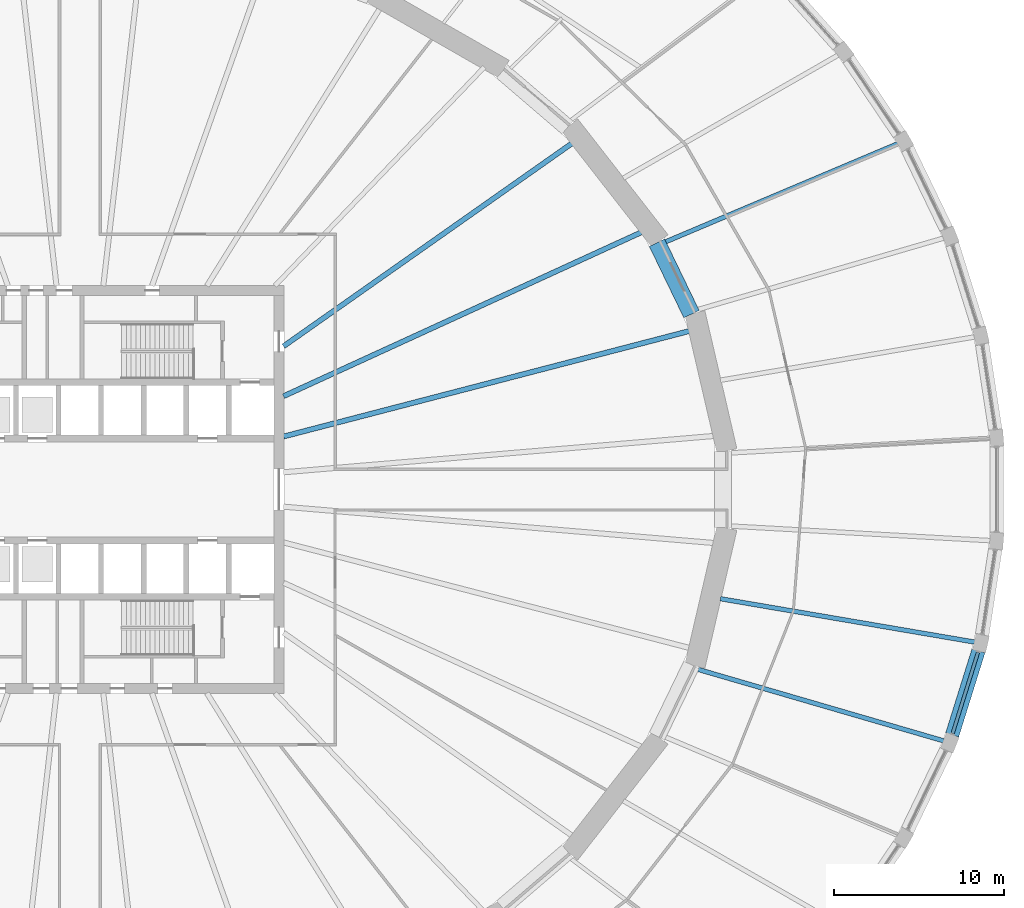
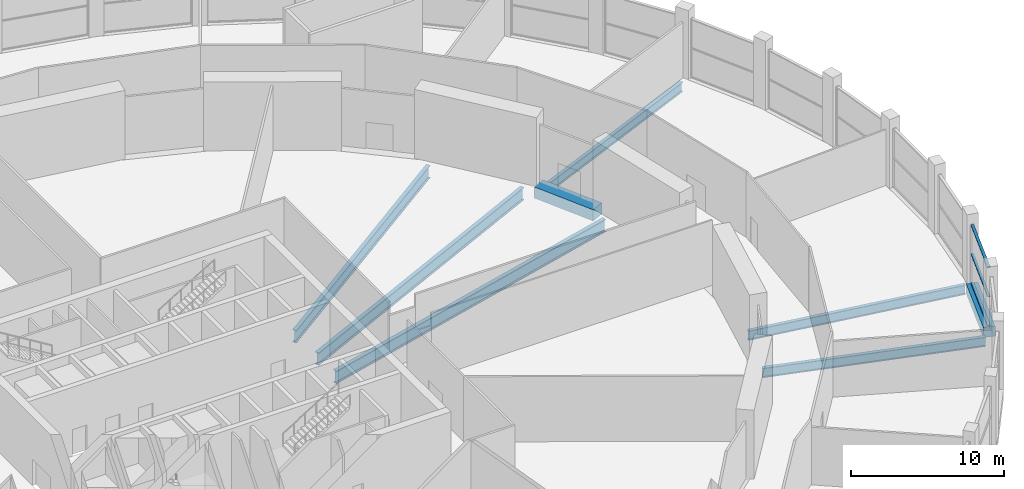
# One storey, part 10 of 26: 8 beams, 3 members, 1 element without a shape of its own.
"""IFC4 building model written with IfcOpenShell, lengths in metres."""

import ifcopenshell
import ifcopenshell.guid

model = None  # the IFC model being written
_history = None  # IfcOwnerHistory: only IFC2X3 demands one
_inside = {}  # id of a spatial element -> (the spatial element, [elements in it])
_under = {}  # id of a project, library or spatial element -> (it, [spatial elements below it])
_declared = {}  # id of a project -> (the project, [libraries it declares])
_typed = {}  # id of a type object -> (the type object, [elements of that type])
_made_of = {}  # id of a material, layer set ... -> (it, [elements and type objects made of it])


def new_model(schema):
    """Start an empty IFC model of exactly this schema.

    Asked for "IFC4X3", IfcOpenShell would pick the latest addendum, in which some entities
    have other attributes; the version numbers below select the first issue.
    IFC2X3 requires an IfcOwnerHistory on every rooted entity: one is made here for all.
    """
    global model, _history
    if schema == "IFC4X3":
        model = ifcopenshell.file(schema_version=(4, 3, 0, 0))
    else:
        model = ifcopenshell.file(schema=schema)
    _inside.clear()
    _under.clear()
    _declared.clear()
    _typed.clear()
    _made_of.clear()
    _history = None
    if model.schema == "IFC2X3":
        org = make("IfcOrganization", Name="unknown")
        user = make(
            "IfcPersonAndOrganization",
            ThePerson=make("IfcPerson", FamilyName="unknown"),
            TheOrganization=org,
        )
        app = make(
            "IfcApplication",
            ApplicationDeveloper=org,
            Version="unknown",
            ApplicationFullName="unknown",
            ApplicationIdentifier="unknown",
        )
        _history = make(
            "IfcOwnerHistory",
            OwningUser=user,
            OwningApplication=app,
            ChangeAction="ADDED",
            CreationDate=0,
        )
    return model


def make(cls, **values):
    """One entity of the class cls with the attributes given. An attribute that is None is left unset."""
    return model.create_entity(
        cls, **{name: value for name, value in values.items() if value is not None}
    )


def rooted(cls, **values):
    """An entity with a GlobalId (a new one), such as an element, a storey or a relation."""
    return make(cls, GlobalId=ifcopenshell.guid.new(), OwnerHistory=_history, **values)


def si_unit(unit_type, name, prefix=None):
    """IfcSIUnit, for example si_unit("LENGTHUNIT", "METRE", prefix="MILLI")."""
    return make("IfcSIUnit", UnitType=unit_type, Prefix=prefix, Name=name)


def assignment(units):
    """IfcUnitAssignment: the units of a project."""
    return None if units is None else make("IfcUnitAssignment", Units=units)


def point(xyz):
    """IfcCartesianPoint."""
    return None if xyz is None else make("IfcCartesianPoint", Coordinates=xyz)


def direction(xyz):
    """IfcDirection."""
    return None if xyz is None else make("IfcDirection", DirectionRatios=xyz)


def frame(location, z_axis=None, x_axis=None):
    """IfcAxis2Placement3D, a coordinate frame: its origin and axes. An axis left out is left unset."""
    return make(
        "IfcAxis2Placement3D",
        Location=point(location),
        Axis=direction(z_axis),
        RefDirection=direction(x_axis),
    )


def frame_2d(location, x_axis=None):
    """IfcAxis2Placement2D, a coordinate frame in the plane: its origin and x axis."""
    return make(
        "IfcAxis2Placement2D", Location=point(location), RefDirection=direction(x_axis)
    )


def origin():
    """The frame at (0, 0, 0) with its axes left unset."""
    return frame((0.0, 0.0, 0.0))


def origin_2d():
    """The frame at (0, 0) in the plane with its x axis left unset."""
    return frame_2d((0.0, 0.0))


def place(relative_to, where):
    """IfcLocalPlacement: puts the frame where relative to a parent placement (None: the world)."""
    return make(
        "IfcLocalPlacement", PlacementRelTo=relative_to, RelativePlacement=where
    )


def context(
    kind, dimensions, precision=None, world=None, true_north=None, identifier=None
):
    """IfcGeometricRepresentationContext, for example the 3D "Model" context."""
    return make(
        "IfcGeometricRepresentationContext",
        ContextIdentifier=identifier,
        ContextType=kind,
        CoordinateSpaceDimension=dimensions,
        Precision=precision,
        WorldCoordinateSystem=world,
        TrueNorth=true_north,
    )


def subcontext(parent, identifier, kind, view, scale=None):
    """IfcGeometricRepresentationSubContext, for example "Body" below "Model"."""
    return make(
        "IfcGeometricRepresentationSubContext",
        ContextIdentifier=identifier,
        ContextType=kind,
        ParentContext=parent,
        TargetScale=scale,
        TargetView=view,
    )


def project(units=None, contexts=None):
    """IfcProject with its units and contexts."""
    return rooted(
        "IfcProject",
        Name="project",
        RepresentationContexts=contexts,
        UnitsInContext=assignment(units),
    )


def spatial(cls, under=None, at=None, **own):
    """A site, building, storey or space (cls), placed at a placement, below another one or the project."""
    s = rooted(cls, ObjectPlacement=at, **own)
    if under is not None:
        _under.setdefault(under.id(), (under, []))[1].append(s)
    return s


def profile(cls, at=None, kind="AREA", **sizes):
    """A parametric profile (cls). Its sizes go by their IFC names, for example OverallWidth=200.0."""
    return make(cls, ProfileType=kind, Position=at, **sizes)


def rectangle(**sizes):
    """IfcRectangleProfileDef."""
    return profile("IfcRectangleProfileDef", **sizes)


def i_section(**sizes):
    """IfcIShapeProfileDef."""
    return profile("IfcIShapeProfileDef", **sizes)


def extrude(swept, where, along, depth):
    """IfcExtrudedAreaSolid: the profile swept, set in the frame where, extruded along a direction by depth."""
    return make(
        "IfcExtrudedAreaSolid",
        SweptArea=swept,
        Position=where,
        ExtrudedDirection=direction(along),
        Depth=depth,
    )


def shape(context_of_items, identifier, shape_type, items):
    """IfcShapeRepresentation: the items that make up one representation, for example the "Body"."""
    return make(
        "IfcShapeRepresentation",
        ContextOfItems=context_of_items,
        RepresentationIdentifier=identifier,
        RepresentationType=shape_type,
        Items=items,
    )


def material(Name=None, Category=None):
    """IfcMaterial."""
    return make("IfcMaterial", Name=Name, Category=Category)


def material_profile(
    of_material, cross_section, Name=None, Category=None, Priority=None
):
    """IfcMaterialProfile: a cross section and its material."""
    return make(
        "IfcMaterialProfile",
        Name=Name,
        Material=of_material,
        Profile=cross_section,
        Priority=Priority,
        Category=Category,
    )


def profile_set(profiles, Name=None, composite=None):
    """IfcMaterialProfileSet."""
    return make(
        "IfcMaterialProfileSet",
        Name=Name,
        MaterialProfiles=profiles,
        CompositeProfile=composite,
    )


def made_of(thing, what):
    """Note that an element or type object is made of a material, layer set ...; save() writes the relation."""
    if what is not None:
        _made_of.setdefault(what.id(), (what, []))[1].append(thing)
    return thing


def type_object(cls, material=None, **own):
    """A type object (cls), such as IfcWallType, which elements share."""
    return made_of(rooted(cls, **own), material)


def element(
    cls,
    number,
    at=None,
    inside=None,
    cuts=None,
    type_object=None,
    material=None,
    context=None,
    identifier="Body",
    shape_type=None,
    held_by="IfcProductDefinitionShape",
    body=None,
    shapes=None,
    **own,
):
    """One element of the class cls, such as IfcWall. Its Tag is "e" and its number.

    at: its placement. inside: the storey or other place that contains it. cuts: it is an
    opening in that element (IfcRelVoidsElement). A single representation is given by context,
    identifier, shape_type and body (its items); several are given by shapes. held_by: the class
    of the entity that holds the representations. save() writes the other relations.
    """
    e = rooted(cls, Tag="e%d" % number, ObjectPlacement=at, **own)
    if body is not None:
        shapes = [shape(context, identifier, shape_type, body)]
    if shapes is not None:
        e.Representation = make(held_by, Representations=shapes)
    if inside is not None:
        _inside.setdefault(inside.id(), (inside, []))[1].append(e)
    if cuts is not None:
        rooted(
            "IfcRelVoidsElement", RelatingBuildingElement=cuts, RelatedOpeningElement=e
        )
    if type_object is not None:
        _typed.setdefault(type_object.id(), (type_object, []))[1].append(e)
    return made_of(e, material)


def aggregate(whole, parts):
    """IfcRelAggregates: a whole, such as a stair, and the parts it consists of."""
    return rooted("IfcRelAggregates", RelatingObject=whole, RelatedObjects=parts)


def save(model, path):
    """Write the relations noted so far, then the file.

    IfcRelAggregates (storeys below a building ...), IfcRelContainedInSpatialStructure (elements
    in a storey), IfcRelDefinesByType, IfcRelAssociatesMaterial and IfcRelDeclares: one each for
    every whole, place, type object, material and project.
    """
    for whole, parts in _under.values():
        aggregate(whole, parts)
    for where, things in _inside.values():
        rooted(
            "IfcRelContainedInSpatialStructure",
            RelatedElements=things,
            RelatingStructure=where,
        )
    for kind, things in _typed.values():
        rooted("IfcRelDefinesByType", RelatedObjects=things, RelatingType=kind)
    for what, things in _made_of.values():
        rooted("IfcRelAssociatesMaterial", RelatedObjects=things, RelatingMaterial=what)
    for by, libraries in _declared.values():
        rooted("IfcRelDeclares", RelatingContext=by, RelatedDefinitions=libraries)
    model.write(path)


model = new_model("IFC4")

# Units and contexts
model_context = context("Model", 3, precision=1e-05, world=origin(), true_north=direction((0.0, 1.0)))
body_context = subcontext(model_context, "Body", "Model", "MODEL_VIEW")
ifc_project = project(units=[si_unit("LENGTHUNIT", "METRE"), si_unit("AREAUNIT", "SQUARE_METRE"), si_unit("VOLUMEUNIT", "CUBIC_METRE"), si_unit("PLANEANGLEUNIT", "RADIAN"), si_unit("MASSUNIT", "GRAM", prefix="KILO")], contexts=[model_context])

# Site, building, storey
site_placement = place(None, origin())
site = spatial("IfcSite", under=ifc_project, at=site_placement, CompositionType="ELEMENT")
building_placement = place(site_placement, origin())
building = spatial("IfcBuilding", under=site, at=building_placement, Name="Halqa Exchange Tower", CompositionType="ELEMENT")
storey_placement = place(building_placement, frame((0.0, 0.0, 18.0)))
storey = spatial("IfcBuildingStorey", under=building, at=storey_placement, Name="L03", CompositionType="ELEMENT", Elevation=18.0)

# Curtain wall, members
ifc_material_1 = material(Name="Anodised aluminium and clear glass", Category="aluminium")
curtain_wall_type = type_object("IfcCurtainWallType", Name="Exchange hall glazing", PredefinedType="NOTDEFINED", material=ifc_material_1)
curtain_wall_placement = place(storey_placement, origin())
curtain_wall = element("IfcCurtainWall", 1, at=curtain_wall_placement, inside=storey, type_object=curtain_wall_type, Name="Exchange hall glazing run P46", PredefinedType="NOTDEFINED")
ifc_material_2 = material(Name="Anodised aluminium", Category="aluminium")
ifc_material_profile_1 = material_profile(ifc_material_2, rectangle(XDim=0.199951171875, YDim=0.070068359375, at=origin_2d()), Name="AL 70x200")
ifc_profile_set_1 = profile_set([ifc_material_profile_1], Name="Anodised aluminium")
member_type = type_object("IfcMemberType", Name="Exchange hall glazing transom 70 x 200", PredefinedType="USERDEFINED", material=ifc_profile_set_1)
member_1_placement = place(storey_placement, frame((51.30419921875, -14.338623046875, 0.034912109375), z_axis=(0.298305642444, 0.954470399586, 0.0), x_axis=(-0.954470399586, 0.298305642444, 0.0)))
member_1 = element("IfcMember", 2, at=member_1_placement, type_object=member_type, Name="P46 transom 1.1", ObjectType="TRANSOM", PredefinedType="USERDEFINED", context=body_context, shape_type="SweptSolid", body=[
    extrude(rectangle(XDim=0.199951171875, YDim=0.070068359375, at=origin_2d()), origin(), (0.0, 0.0, 1.0), 4.989013671875),
])
member_2_placement = place(storey_placement, frame((51.30419921875, -14.338623046875, 2.35009765625), z_axis=(0.298305642444, 0.954470399586, 0.0), x_axis=(-0.954470399586, 0.298305642444, 0.0)))
member_2 = element("IfcMember", 3, at=member_2_placement, type_object=member_type, Name="P46 transom 1.2", ObjectType="TRANSOM", PredefinedType="USERDEFINED", context=body_context, shape_type="SweptSolid", body=[
    extrude(rectangle(XDim=0.199951171875, YDim=0.070068359375, at=origin_2d()), origin(), (0.0, 0.0, 1.0), 4.989013671875),
])
member_3_placement = place(storey_placement, frame((51.30419921875, -14.338623046875, 4.6650390625), z_axis=(0.298305642444, 0.954470399586, 0.0), x_axis=(-0.954470399586, 0.298305642444, 0.0)))
member_3 = element("IfcMember", 4, at=member_3_placement, type_object=member_type, Name="P46 transom 1.3", ObjectType="TRANSOM", PredefinedType="USERDEFINED", context=body_context, shape_type="SweptSolid", body=[
    extrude(rectangle(XDim=0.199951171875, YDim=0.070068359375, at=origin_2d()), origin(), (0.0, 0.0, 1.0), 4.989013671875),
])
aggregate(curtain_wall, [member_1, member_2, member_3])

# Beams
ifc_material_3 = material(Name="Steel S355", Category="steel")
ifc_material_profile_2 = material_profile(ifc_material_3, i_section(OverallWidth=0.300048828125, OverallDepth=1.0, WebThickness=0.01904296875, FlangeThickness=0.035888671875, FilletRadius=0.030029296875, at=origin_2d()), Name="HEB 1000")
ifc_profile_set_2 = profile_set([ifc_material_profile_2], Name="Steel S355")
beam_type_1 = type_object("IfcBeamType", Name="Floor beam HEB 1000", PredefinedType="BEAM", material=ifc_profile_set_2)
beam_1_placement = place(storey_placement, frame((11.972412109375, 5.485107421875, -0.85009765625), z_axis=(0.909128229117, 0.416516341843, 0.0), x_axis=(-0.416516341843, 0.909128229117, 0.0)))
element("IfcBeam", 5, at=beam_1_placement, inside=storey, type_object=beam_type_1, Name="Radial beam 3", PredefinedType="BEAM", context=body_context, shape_type="SweptSolid", body=[
    extrude(i_section(OverallWidth=0.300048828125, OverallDepth=1.0, WebThickness=0.01904296875, FlangeThickness=0.035888671875, FilletRadius=0.030029296875, at=origin_2d()), origin(), (0.0, 0.0, 1.0), 23.209228515625),
])
beam_2_placement = place(storey_placement, frame((11.972412109375, 8.421875, -0.85009765625), z_axis=(0.817909911418, 0.575346310325, 0.0), x_axis=(-0.575346310325, 0.817909911418, 0.0)))
element("IfcBeam", 6, at=beam_2_placement, inside=storey, type_object=beam_type_1, Name="Radial beam 4", PredefinedType="BEAM", context=body_context, shape_type="SweptSolid", body=[
    extrude(i_section(OverallWidth=0.300048828125, OverallDepth=1.0, WebThickness=0.01904296875, FlangeThickness=0.035888671875, FilletRadius=0.030029296875, at=origin_2d()), origin(), (0.0, 0.0, 1.0), 20.804443359375),
])
ifc_material_profile_3 = material_profile(ifc_material_3, i_section(OverallWidth=0.302001953125, OverallDepth=1.008056640625, WebThickness=0.02099609375, FlangeThickness=0.0400390625, FilletRadius=0.030029296875, at=origin_2d()), Name="HEM 1000")
ifc_profile_set_3 = profile_set([ifc_material_profile_3], Name="Steel S355")
beam_type_2 = type_object("IfcBeamType", Name="Floor beam HEM 1000", PredefinedType="BEAM", material=ifc_profile_set_3)
beam_3_placement = place(storey_placement, frame((11.971435546875, 3.11279296875, -0.85400390625), z_axis=(0.967821064299, 0.251639399735, 0.0), x_axis=(-0.251639399735, 0.967821064299, 0.0)))
element("IfcBeam", 7, at=beam_3_placement, inside=storey, type_object=beam_type_2, Name="Radial beam 2", PredefinedType="BEAM", context=body_context, shape_type="SweptSolid", body=[
    extrude(i_section(OverallWidth=0.302001953125, OverallDepth=1.008056640625, WebThickness=0.02099609375, FlangeThickness=0.0400390625, FilletRadius=0.030029296875, at=origin_2d()), origin(), (0.0, 0.0, 1.0), 24.7314453125),
])
ifc_material_profile_4 = material_profile(ifc_material_3, i_section(OverallWidth=0.264892578125, OverallDepth=0.7529296875, WebThickness=0.01318359375, FlangeThickness=0.01708984375, FilletRadius=0.01708984375, at=origin_2d()), Name="IPE 750x147")
ifc_profile_set_4 = profile_set([ifc_material_profile_4], Name="Steel S355")
beam_type_3 = type_object("IfcBeamType", Name="Floor beam IPE 750x147", PredefinedType="BEAM", material=ifc_profile_set_4)
beam_4_placement = place(storey_placement, frame((34.423583984375, 14.555419921875, -0.7265625), z_axis=(0.921054684963, 0.389433264254, 0.0), x_axis=(-0.389433264254, 0.921054684963, 0.0)))
element("IfcBeam", 8, at=beam_4_placement, inside=storey, type_object=beam_type_3, Name="Radial beam 4", PredefinedType="BEAM", context=body_context, shape_type="SweptSolid", body=[
    extrude(i_section(OverallWidth=0.264892578125, OverallDepth=0.7529296875, WebThickness=0.01318359375, FlangeThickness=0.01708984375, FilletRadius=0.01708984375, at=origin_2d()), origin(), (0.0, 0.0, 1.0), 14.83349609375),
])
beam_5_placement = place(storey_placement, frame((36.34521484375, -10.578369140625, -0.7265625), z_axis=(0.960162493503, -0.279442276812, 0.0), x_axis=(0.279442276812, 0.960162493503, 0.0)))
element("IfcBeam", 9, at=beam_5_placement, inside=storey, type_object=beam_type_3, Name="Radial beam 46", PredefinedType="BEAM", context=body_context, shape_type="SweptSolid", body=[
    extrude(i_section(OverallWidth=0.264892578125, OverallDepth=0.7529296875, WebThickness=0.01318359375, FlangeThickness=0.01708984375, FilletRadius=0.01708984375, at=origin_2d()), origin(), (0.0, 0.0, 1.0), 15.02880859375),
])
beam_6_placement = place(storey_placement, frame((37.654296875, -6.421875, -0.7265625), z_axis=(0.985764762639, -0.168130403968, 0.0), x_axis=(0.168130403968, 0.985764762639, 0.0)))
element("IfcBeam", 10, at=beam_6_placement, inside=storey, type_object=beam_type_3, Name="Radial beam 47", PredefinedType="BEAM", context=body_context, shape_type="SweptSolid", body=[
    extrude(i_section(OverallWidth=0.264892578125, OverallDepth=0.7529296875, WebThickness=0.01318359375, FlangeThickness=0.01708984375, FilletRadius=0.01708984375, at=origin_2d()), origin(), (0.0, 0.0, 1.0), 15.156982421875),
])
ifc_material_4 = material(Name="Concrete C60/75", Category="concrete")
ifc_material_profile_5 = material_profile(ifc_material_4, rectangle(XDim=0.800048828125, YDim=0.800048828125, at=origin_2d()), Name="800 x 800")
ifc_profile_set_5 = profile_set([ifc_material_profile_5], Name="Concrete C60/75")
beam_type_4 = type_object("IfcBeamType", Name="RC podium edge beam 800 x 800 C60/75", PredefinedType="SPANDREL", material=ifc_profile_set_5)
beam_7_placement = place(storey_placement, frame((51.275390625, -14.430419921875, -0.39990234375), z_axis=(0.298331338153, 0.954462368392, 0.0), x_axis=(-0.954462368392, 0.298331338153, 0.0)))
element("IfcBeam", 11, at=beam_7_placement, inside=storey, type_object=beam_type_4, Name="Podium edge beam 46", PredefinedType="SPANDREL", context=body_context, shape_type="SweptSolid", body=[
    extrude(rectangle(XDim=0.800048828125, YDim=0.800048828125, at=origin_2d()), origin(), (0.0, 0.0, 1.0), 5.180908203125),
])
ifc_material_profile_6 = material_profile(ifc_material_4, rectangle(XDim=1.0, YDim=0.89990234375, at=origin_2d()), Name="1000 x 900")
ifc_profile_set_6 = profile_set([ifc_material_profile_6], Name="Concrete C60/75")
beam_type_5 = type_object("IfcBeamType", Name="RC spandrel beam 1000 x 900 C60/75", PredefinedType="SPANDREL", material=ifc_profile_set_6)
beam_8_placement = place(storey_placement, frame((35.951904296875, 10.306884765625, -0.449951171875), z_axis=(-0.435068215878, 0.900397494184, 0.0), x_axis=(-0.900397494184, -0.435068215878, 0.0)))
element("IfcBeam", 12, at=beam_8_placement, inside=storey, type_object=beam_type_5, Name="Spandrel 2", PredefinedType="SPANDREL", context=body_context, shape_type="SweptSolid", body=[
    extrude(rectangle(XDim=1.0, YDim=0.89990234375, at=origin_2d()), origin(), (0.0, 0.0, 1.0), 4.6630859375),
])

save(model, "model.ifc")
